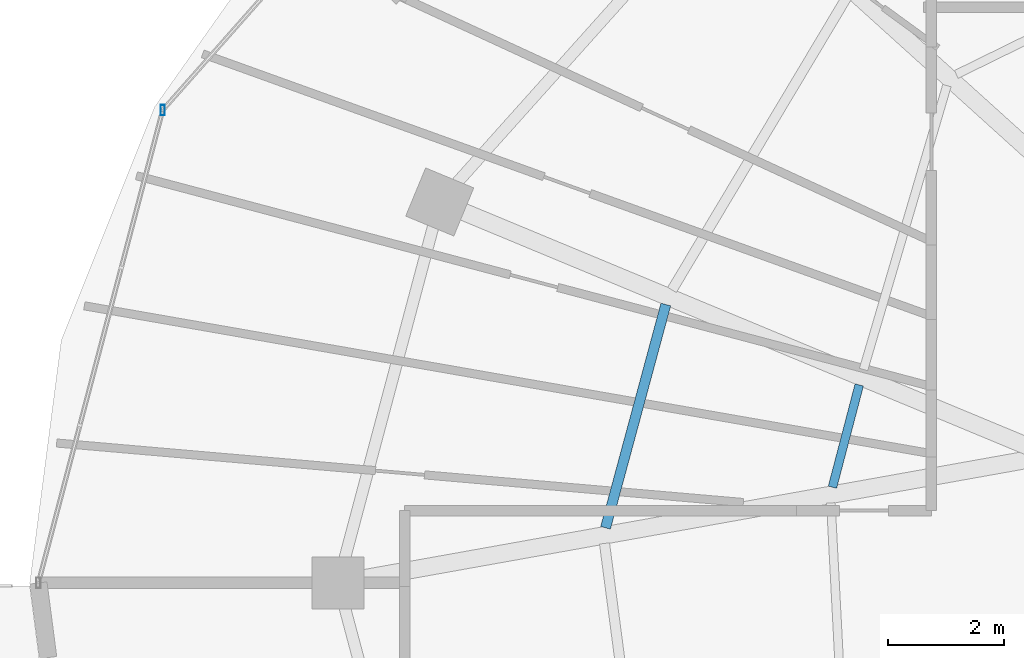
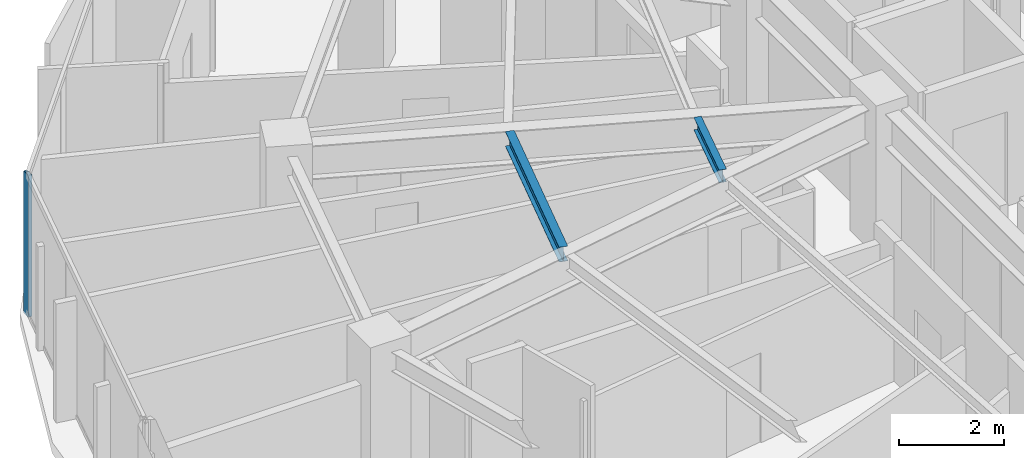
# One storey, part 9 of 34: 2 beams, 1 member, 1 element without a shape of its own.
"""IFC4 building model written with IfcOpenShell, lengths in metres."""

from ifc_helpers import new_model, si_unit, direction, frame, origin, origin_2d, place, context, subcontext, project, spatial, hollow_rectangle, i_section, extrude, material, material_profile, profile_set, type_object, element, aggregate, save


model = new_model("IFC4")

# Units and contexts
model_context = context("Model", 3, precision=1e-05, world=origin(), true_north=direction((0.0, 1.0)))
body_context = subcontext(model_context, "Body", "Model", "MODEL_VIEW")
ifc_project = project(units=[si_unit("LENGTHUNIT", "METRE"), si_unit("AREAUNIT", "SQUARE_METRE"), si_unit("VOLUMEUNIT", "CUBIC_METRE"), si_unit("PLANEANGLEUNIT", "RADIAN"), si_unit("MASSUNIT", "GRAM", prefix="KILO")], contexts=[model_context])

# Site, building, storey
site_placement = place(None, origin())
site = spatial("IfcSite", under=ifc_project, at=site_placement, CompositionType="ELEMENT")
building_placement = place(site_placement, origin())
building = spatial("IfcBuilding", under=site, at=building_placement, Name="Vorneva Point Tower", CompositionType="ELEMENT")
storey_placement = place(building_placement, frame((0.0, 0.0, 186.10009765625)))
storey = spatial("IfcBuildingStorey", under=building, at=storey_placement, Name="L50", CompositionType="ELEMENT", Elevation=186.10009765625)

# Beams
ifc_material_1 = material(Name="Steel S355", Category="steel")
ifc_material_profile_1 = material_profile(ifc_material_1, i_section(OverallWidth=0.14892578125, OverallDepth=0.298095703125, WebThickness=0.005615234375, FlangeThickness=0.008056640625, at=origin_2d()), Name="30B1")
ifc_profile_set_1 = profile_set([ifc_material_profile_1], Name="Steel S355")
beam_type_1 = type_object("IfcBeamType", Name="BM-JST-30B1", PredefinedType="JOIST", material=ifc_profile_set_1)
beam_1_placement = place(storey_placement, frame((23.952880859375, 29.422119140625, 3.0908203125), z_axis=(-0.25336832433, -0.967369883874, 0.0), x_axis=(0.967369883874, -0.25336832433, 0.0)))
element("IfcBeam", 1, at=beam_1_placement, inside=storey, type_object=beam_type_1, Name="L50 Secondary Floor Beam 2.08", PredefinedType="JOIST", context=body_context, shape_type="SweptSolid", body=[
    extrude(i_section(OverallWidth=0.14892578125, OverallDepth=0.298095703125, WebThickness=0.005615234375, FlangeThickness=0.008056640625, at=origin_2d()), origin(), (0.0, 0.0, 1.0), 1.826904296875),
])
ifc_material_profile_2 = material_profile(ifc_material_1, i_section(OverallWidth=0.174072265625, OverallDepth=0.345947265625, WebThickness=0.006103515625, FlangeThickness=0.009033203125, at=origin_2d()), Name="35B1")
ifc_profile_set_2 = profile_set([ifc_material_profile_2], Name="Steel S355")
beam_type_2 = type_object("IfcBeamType", Name="BM-SEC-35B1", PredefinedType="BEAM", material=ifc_profile_set_2)
beam_2_placement = place(storey_placement, frame((20.61083984375, 30.810791015625, 3.06689453125), z_axis=(-0.260635102056, -0.965437384596, 0.0), x_axis=(0.965437384596, -0.260635102056, 0.0)))
element("IfcBeam", 2, at=beam_2_placement, inside=storey, type_object=beam_type_2, Name="L50 Secondary Floor Beam 1.08", PredefinedType="BEAM", context=body_context, shape_type="SweptSolid", body=[
    extrude(i_section(OverallWidth=0.174072265625, OverallDepth=0.345947265625, WebThickness=0.006103515625, FlangeThickness=0.009033203125, at=origin_2d()), origin(), (0.0, 0.0, 1.0), 3.99609375),
])

# Curtain wall, member
ifc_material_2 = material(Name="Pale anodised aluminium", Category="aluminium")
curtain_wall_type = type_object("IfcCurtainWallType", Name="CW-RES-SYS", PredefinedType="NOTDEFINED", material=ifc_material_2)
curtain_wall_placement = place(storey_placement, origin())
curtain_wall = element("IfcCurtainWall", 3, at=curtain_wall_placement, inside=storey, type_object=curtain_wall_type, Name="L50 Unitised Curtain Wall CW-L50-R02", PredefinedType="NOTDEFINED")
ifc_material_profile_3 = material_profile(ifc_material_2, hollow_rectangle(XDim=0.074951171875, YDim=0.179931640625, WallThickness=0.00390625, at=origin_2d()), Name="AL-MUL 180x75x4")
ifc_profile_set_3 = profile_set([ifc_material_profile_3], Name="Pale anodised aluminium")
member_type = type_object("IfcMemberType", Name="CW-MUL-180", PredefinedType="MULLION", material=ifc_profile_set_3)
member_placement = place(storey_placement, frame((11.9189453125, 34.17041015625, -0.0400390625), z_axis=(0.0, 0.0, 1.0), x_axis=(1.0, 0.0, 0.0)))
member = element("IfcMember", 4, at=member_placement, type_object=member_type, Name="CW-L50-R02 Mullion 02", PredefinedType="MULLION", context=body_context, shape_type="SweptSolid", body=[
    extrude(hollow_rectangle(XDim=0.074951171875, YDim=0.179931640625, WallThickness=0.00390625, at=origin_2d()), origin(), (0.0, 0.0, 1.0), 3.31005859375),
])
aggregate(curtain_wall, [member])

save(model, "model.ifc")
